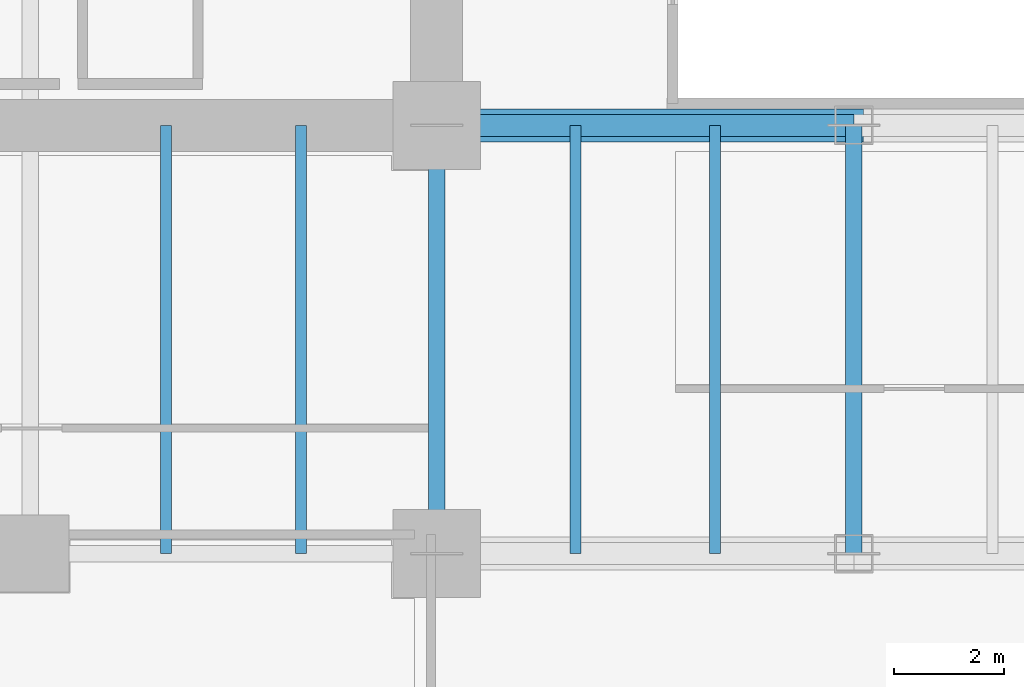
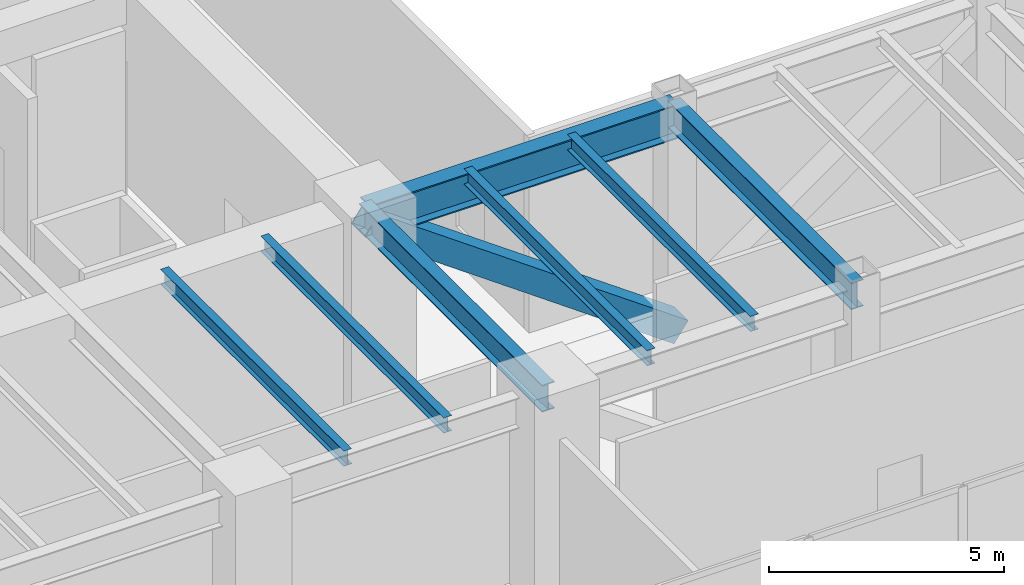
# One storey, part 5 of 35: 7 beams, 1 member.
"""IFC4 building model written with IfcOpenShell, lengths in metres."""

from ifc_helpers import new_model, si_unit, direction, frame, origin, origin_2d, place, context, subcontext, project, spatial, hollow_rectangle, i_section, extrude, source, transform, mapped, material, material_profile, profile_set, type_object, type_shapes, element, save


model = new_model("IFC4")

# Units and contexts
model_context = context("Model", 3, precision=1e-05, world=origin(), true_north=direction((0.0, 1.0)))
body_context = subcontext(model_context, "Body", "Model", "MODEL_VIEW")
ifc_project = project(units=[si_unit("LENGTHUNIT", "METRE"), si_unit("AREAUNIT", "SQUARE_METRE"), si_unit("VOLUMEUNIT", "CUBIC_METRE"), si_unit("PLANEANGLEUNIT", "RADIAN"), si_unit("MASSUNIT", "GRAM", prefix="KILO")], contexts=[model_context])

# Site, building, storey
site_placement = place(None, origin())
site = spatial("IfcSite", under=ifc_project, at=site_placement, CompositionType="ELEMENT")
building_placement = place(site_placement, origin())
building = spatial("IfcBuilding", under=site, at=building_placement, Name="Haelvirn Gate Laboratories", CompositionType="ELEMENT")
storey_placement = place(building_placement, frame((0.0, 0.0, 19.800048828125)))
storey = spatial("IfcBuildingStorey", under=building, at=storey_placement, Name="L05", CompositionType="ELEMENT", Elevation=19.800048828125)

# Beams
ifc_material_1 = material(Name="Steel SM355", Category="steel")
ifc_material_profile_1 = material_profile(ifc_material_1, i_section(OverallWidth=0.199951171875, OverallDepth=0.39990234375, WebThickness=0.008056640625, FlangeThickness=0.012939453125, at=origin_2d()), Name="H-400x200x8x13")
ifc_profile_set_1 = profile_set([ifc_material_profile_1], Name="Steel SM355")
beam_type_1 = type_object("IfcBeamType", Name="BM-J-400", PredefinedType="JOIST", material=ifc_profile_set_1)
shared_shape_1 = source(origin(), body_context, "Body", "SweptSolid", [
    extrude(i_section(OverallWidth=0.199951171875, OverallDepth=0.39990234375, WebThickness=0.008056640625, FlangeThickness=0.012939453125, at=origin_2d()), origin(), (0.0, 0.0, 1.0), 7.800048828125),
])
type_shapes(beam_type_1, [shared_shape_1])
for number, where, z_axis, x_axis, name in (
    (1, (17.27001953125, 7.0, 4.8798828125), (0.0, 1.0, 0.0), (-1.0, 0.0, 0.0), "L05 Composite Lab Joist South X17.27"),
    (2, (19.72998046875, 7.0, 4.8798828125), (0.0, 1.0, 0.0), (-1.0, 0.0, 0.0), "L05 Composite Lab Joist South X19.73"),
    (3, (24.72998046875, 7.0, 4.8798828125), (0.0, 1.0, 0.0), (-1.0, 0.0, 0.0), "L05 Composite Lab Joist South X24.73"),
    (4, (27.27001953125, 7.0, 4.8798828125), (0.0, 1.0, 0.0), (-1.0, 0.0, 0.0), "L05 Composite Lab Joist South X27.27"),
):
    element("IfcBeam", number, at=place(storey_placement, frame(where, z_axis=z_axis, x_axis=x_axis)), inside=storey, type_object=beam_type_1, Name=name, PredefinedType="JOIST", context=body_context, shape_type="MappedRepresentation", body=[
        mapped(shared_shape_1, transform((0.0, 0.0, 0.0), scale=1.0)),
    ])
ifc_material_profile_2 = material_profile(ifc_material_1, i_section(OverallWidth=0.300048828125, OverallDepth=0.699951171875, WebThickness=0.012939453125, FlangeThickness=0.02392578125, at=origin_2d()), Name="H-700x300x13x24")
ifc_profile_set_2 = profile_set([ifc_material_profile_2], Name="Steel SM355")
beam_type_2 = type_object("IfcBeamType", Name="BM-G-700", PredefinedType="BEAM", material=ifc_profile_set_2)
shared_shape_2 = source(origin(), body_context, "Body", "SweptSolid", [
    extrude(i_section(OverallWidth=0.300048828125, OverallDepth=0.699951171875, WebThickness=0.012939453125, FlangeThickness=0.02392578125, at=origin_2d()), origin(), (0.0, 0.0, 1.0), 7.800048828125),
])
type_shapes(beam_type_2, [shared_shape_2])
for number, where, z_axis, x_axis, name in (
    (5, (22.199951171875, 7.0, 4.72998046875), (0.0, 1.0, 0.0), (-1.0, 0.0, 0.0), "L05 Frame Girder X22.2 (7.0-14.8)"),
    (6, (29.800048828125, 7.0, 4.72998046875), (0.0, 1.0, 0.0), (-1.0, 0.0, 0.0), "L05 Frame Girder X29.8 (7.0-14.8)"),
):
    element("IfcBeam", number, at=place(storey_placement, frame(where, z_axis=z_axis, x_axis=x_axis)), inside=storey, type_object=beam_type_2, Name=name, PredefinedType="BEAM", context=body_context, shape_type="MappedRepresentation", body=[
        mapped(shared_shape_2, transform((0.0, 0.0, 0.0), scale=1.0)),
    ])
ifc_material_2 = material(Name="Steel SM420", Category="steel")
ifc_material_profile_3 = material_profile(ifc_material_2, i_section(OverallWidth=0.39990234375, OverallDepth=0.89990234375, WebThickness=0.01904296875, FlangeThickness=0.031982421875, at=origin_2d()), Name="H-900x400x19x32")
ifc_profile_set_3 = profile_set([ifc_material_profile_3], Name="Steel SM420")
beam_type_3 = type_object("IfcBeamType", Name="BM-TG-900", PredefinedType="BEAM", material=ifc_profile_set_3)
shared_shape_3 = source(origin(), body_context, "Body", "SweptSolid", [
    extrude(i_section(OverallWidth=0.39990234375, OverallDepth=0.89990234375, WebThickness=0.01904296875, FlangeThickness=0.031982421875, at=origin_2d()), origin(), (0.0, 0.0, 1.0), 7.60009765625),
])
type_shapes(beam_type_3, [shared_shape_3])
beam_placement = place(storey_placement, frame((22.199951171875, 14.800048828125, 4.6298828125), z_axis=(1.0, 0.0, 0.0), x_axis=(0.0, 1.0, 0.0)))
element("IfcBeam", 7, at=beam_placement, inside=storey, type_object=beam_type_3, Name="L05 Primary Girder Y14.8 (22.2-29.8)", PredefinedType="BEAM", context=body_context, shape_type="MappedRepresentation", body=[
    mapped(shared_shape_3, transform((0.0, 0.0, 0.0), scale=1.0)),
])

# Member
ifc_material_profile_4 = material_profile(ifc_material_2, hollow_rectangle(XDim=0.60009765625, YDim=0.60009765625, WallThickness=0.028076171875, at=origin_2d()), Name="BOX-600x600x28")
ifc_profile_set_4 = profile_set([ifc_material_profile_4], Name="Steel SM420")
member_type = type_object("IfcMemberType", Name="MEM-TRUSS-DIAG", PredefinedType="BRACE", material=ifc_profile_set_4)
shared_shape_4 = source(origin(), body_context, "Body", "SweptSolid", [
    extrude(hollow_rectangle(XDim=0.60009765625, YDim=0.60009765625, WallThickness=0.028076171875, at=origin_2d()), origin(), (0.0, 0.0, 1.0), 9.340576171875),
])
type_shapes(member_type, [shared_shape_4])
member_placement = place(storey_placement, frame((22.199951171875, 14.800048828125, 4.6298828125), z_axis=(0.813668121692, 0.0, -0.581329672167), x_axis=(0.0, 1.0, 0.0)))
element("IfcMember", 8, at=member_placement, inside=storey, type_object=member_type, Name="L05 Portal Transfer Truss Diagonal Y14.8-1", PredefinedType="BRACE", context=body_context, shape_type="MappedRepresentation", body=[
    mapped(shared_shape_4, transform((0.0, 0.0, 0.0), scale=1.0)),
])

save(model, "model.ifc")
